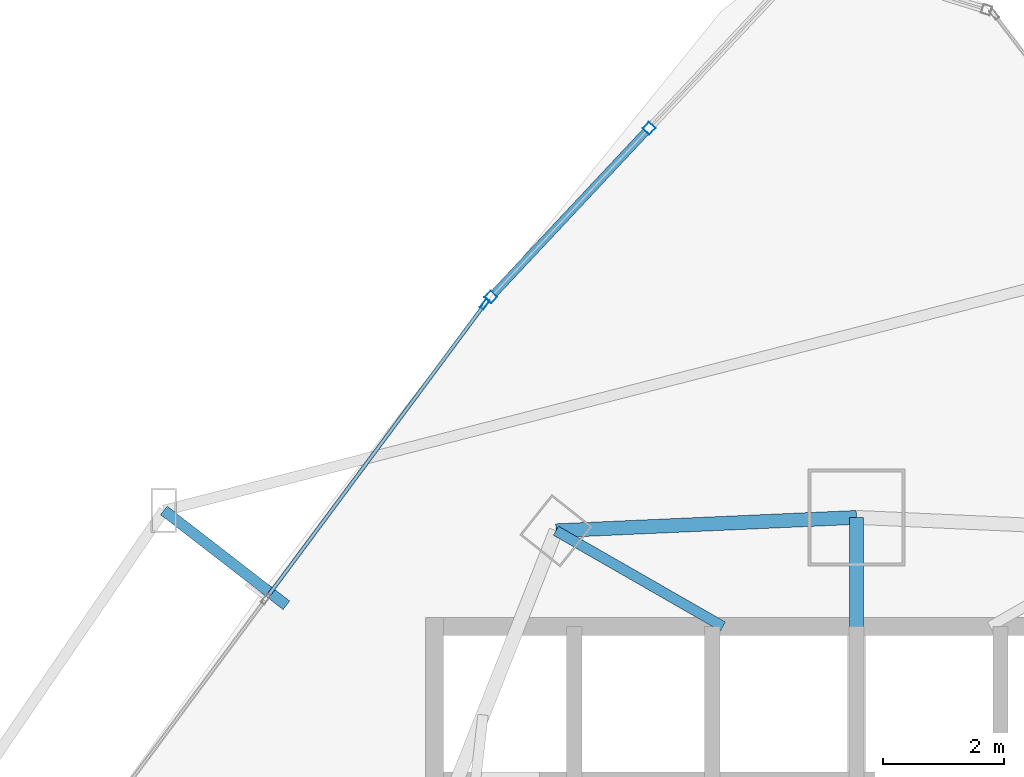
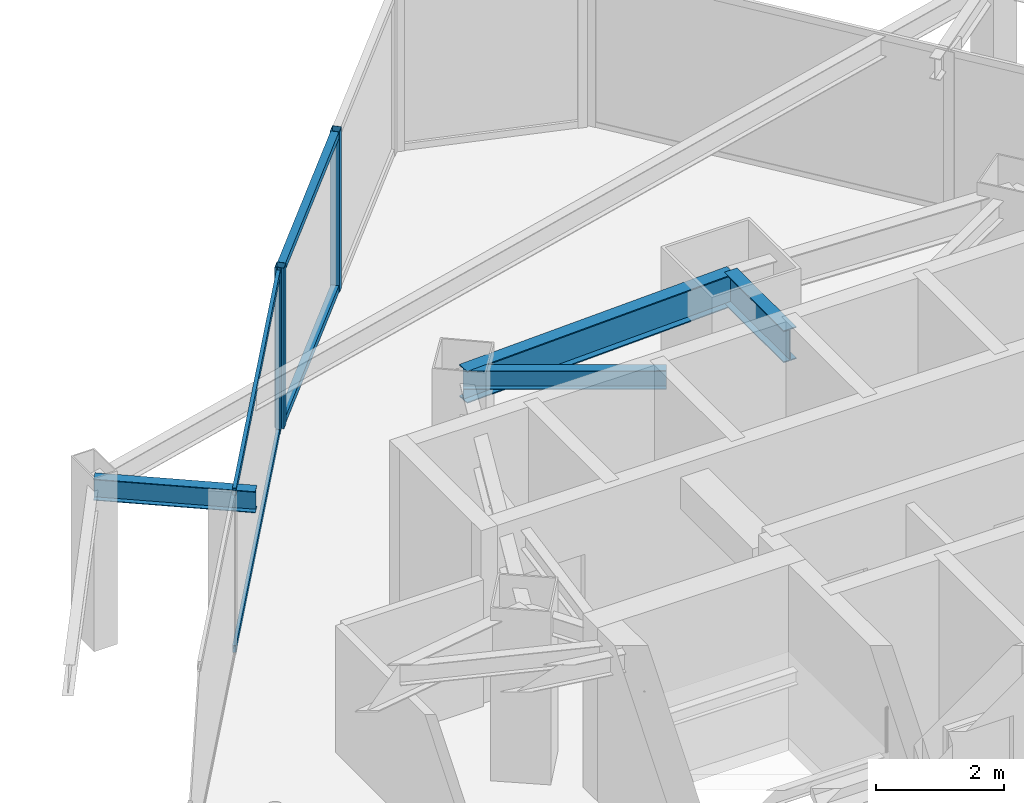
# One storey, part 22 of 33: 7 members, 4 beams, 2 elements without a shape of their own.
"""IFC4 building model written with IfcOpenShell, lengths in metres."""

from ifc_helpers import new_model, si_unit, direction, frame, origin, origin_2d, place, context, subcontext, project, spatial, hollow_rectangle, i_section, extrude, material, layer, layer_set, material_profile, profile_set, type_object, element, aggregate, save


model = new_model("IFC4")

# Units and contexts
model_context = context("Model", 3, precision=1e-05, world=origin(), true_north=direction((0.0, 1.0)))
body_context = subcontext(model_context, "Body", "Model", "MODEL_VIEW")
ifc_project = project(units=[si_unit("LENGTHUNIT", "METRE"), si_unit("AREAUNIT", "SQUARE_METRE"), si_unit("VOLUMEUNIT", "CUBIC_METRE"), si_unit("PLANEANGLEUNIT", "RADIAN"), si_unit("MASSUNIT", "GRAM", prefix="KILO")], contexts=[model_context])

# Site, building, storey
site_placement = place(None, origin())
site = spatial("IfcSite", under=ifc_project, at=site_placement, CompositionType="ELEMENT")
building_placement = place(site_placement, origin())
building = spatial("IfcBuilding", under=site, at=building_placement, Name="Orvanel Arch Residences", CompositionType="ELEMENT")
storey_placement = place(building_placement, frame((0.0, 0.0, 84.050048828125)))
storey = spatial("IfcBuildingStorey", under=building, at=storey_placement, Name="L23", CompositionType="ELEMENT", Elevation=84.050048828125)

# Beams
ifc_material_1 = material(Name="Structural steel AS/NZS 3679.1 Grade 300 (300 MPa)", Category="steel")
ifc_material_profile_1 = material_profile(ifc_material_1, i_section(OverallWidth=0.22900390625, OverallDepth=0.612060546875, WebThickness=0.011962890625, FlangeThickness=0.01953125, at=origin_2d()), Name="610UB125")
ifc_profile_set_1 = profile_set([ifc_material_profile_1], Name="Structural steel AS/NZS 3679.1 Grade 300 (300 MPa)")
beam_type_1 = type_object("IfcBeamType", Name="BG-610UB", PredefinedType="BEAM", material=ifc_profile_set_1)
beam_1_placement = place(storey_placement, frame((33.0, 39.550048828125, 2.75390625), z_axis=(0.0, 1.0, 0.0), x_axis=(-1.0, 0.0, 0.0)))
element("IfcBeam", 1, at=beam_1_placement, inside=storey, type_object=beam_type_1, Name="L23 North Radial Girder", PredefinedType="BEAM", context=body_context, shape_type="SweptSolid", body=[
    extrude(i_section(OverallWidth=0.22900390625, OverallDepth=0.612060546875, WebThickness=0.011962890625, FlangeThickness=0.01953125, at=origin_2d()), origin(), (0.0, 0.0, 1.0), 1.847900390625),
])
ifc_material_profile_2 = material_profile(ifc_material_1, i_section(OverallWidth=0.1708984375, OverallDepth=0.35595703125, WebThickness=0.00732421875, FlangeThickness=0.011474609375, at=origin_2d()), Name="360UB50.7")
ifc_profile_set_2 = profile_set([ifc_material_profile_2], Name="Structural steel AS/NZS 3679.1 Grade 300 (300 MPa)")
beam_type_2 = type_object("IfcBeamType", Name="BJ-360UB", PredefinedType="JOIST", material=ifc_profile_set_2)
beam_2_placement = place(storey_placement, frame((30.800048828125, 39.60009765625, 2.8818359375), z_axis=(-0.86736513383, 0.497672306458, 0.0), x_axis=(-0.497672306458, -0.86736513383, 0.0)))
element("IfcBeam", 2, at=beam_2_placement, inside=storey, type_object=beam_type_2, Name="L23 MNW Wing Floor Joist", PredefinedType="JOIST", context=body_context, shape_type="SweptSolid", body=[
    extrude(i_section(OverallWidth=0.1708984375, OverallDepth=0.35595703125, WebThickness=0.00732421875, FlangeThickness=0.011474609375, at=origin_2d()), origin(), (0.0, 0.0, 1.0), 3.17041015625),
])

# Curtain wall, members
ifc_material_2 = material(Name="Bronze-anodised aluminium AA6063-T6", Category="aluminium")
ifc_layer_1 = layer(ifc_material_2, 0.18994140625)
ifc_layer_set_1 = layer_set([ifc_layer_1], Name="Bronze-anodised aluminium AA6063-T6")
curtain_wall_type_1 = type_object("IfcCurtainWallType", Name="CW5-CRN-SYS", PredefinedType="NOTDEFINED", material=ifc_layer_set_1)
curtain_wall_1_placement = place(storey_placement, origin())
curtain_wall_1 = element("IfcCurtainWall", 3, at=curtain_wall_1_placement, inside=storey, type_object=curtain_wall_type_1, Name="L23 CW5-CRN-SYS Unitised Curtain Wall", PredefinedType="NOTDEFINED")
ifc_material_profile_3 = material_profile(ifc_material_2, hollow_rectangle(XDim=0.14990234375, YDim=0.14990234375, WallThickness=0.0048828125, at=origin_2d()), Name="ALU150x150x5")
ifc_profile_set_3 = profile_set([ifc_material_profile_3], Name="Bronze-anodised aluminium AA6063-T6")
member_type_1 = type_object("IfcMemberType", Name="MUL-150x150", PredefinedType="MULLION", material=ifc_profile_set_3)
member_1_placement = place(storey_placement, frame((29.58349609375, 47.80810546875, 0.0), z_axis=(0.0, 0.0, 1.0), x_axis=(0.729577329682, -0.683898325787, 0.0)))
member_1 = element("IfcMember", 4, at=member_1_placement, type_object=member_type_1, Name="CW-S5 mullion 2", PredefinedType="MULLION", context=body_context, shape_type="SweptSolid", body=[
    extrude(hollow_rectangle(XDim=0.14990234375, YDim=0.14990234375, WallThickness=0.0048828125, at=origin_2d()), origin(), (0.0, 0.0, 1.0), 3.06005859375),
])
member_2_placement = place(storey_placement, frame((26.977294921875, 45.02783203125, 0.0), z_axis=(0.0, 0.0, 1.0), x_axis=(0.729577329682, -0.683898325787, 0.0)))
member_2 = element("IfcMember", 5, at=member_2_placement, type_object=member_type_1, Name="CW-S5 mullion 3", PredefinedType="MULLION", context=body_context, shape_type="SweptSolid", body=[
    extrude(hollow_rectangle(XDim=0.14990234375, YDim=0.14990234375, WallThickness=0.0048828125, at=origin_2d()), origin(), (0.0, 0.0, 1.0), 3.06005859375),
])

# Curtain wall, member
ifc_layer_2 = layer(ifc_material_2, 0.179931640625)
ifc_layer_set_2 = layer_set([ifc_layer_2], Name="Bronze-anodised aluminium AA6063-T6")
curtain_wall_type_2 = type_object("IfcCurtainWallType", Name="CW2-LOW-SYS", PredefinedType="NOTDEFINED", material=ifc_layer_set_2)
curtain_wall_2_placement = place(storey_placement, origin())
curtain_wall_2 = element("IfcCurtainWall", 6, at=curtain_wall_2_placement, inside=storey, type_object=curtain_wall_type_2, Name="L23 CW2-LOW-SYS Unitised Curtain Wall", PredefinedType="NOTDEFINED")
ifc_material_profile_4 = material_profile(ifc_material_2, hollow_rectangle(XDim=0.070068359375, YDim=0.179931640625, WallThickness=0.00439453125, at=origin_2d()), Name="ALU180x70x4.5")
ifc_profile_set_4 = profile_set([ifc_material_profile_4], Name="Bronze-anodised aluminium AA6063-T6")
member_type_2 = type_object("IfcMemberType", Name="MUL-180x70", PredefinedType="MULLION", material=ifc_profile_set_4)
member_3_placement = place(storey_placement, frame((26.879150390625, 44.913818359375, 0.0), z_axis=(0.0, 0.0, 1.0), x_axis=(0.80276182632, -0.59629979893, 0.0)))
member_3 = element("IfcMember", 7, at=member_3_placement, type_object=member_type_2, Name="CW-S2 mullion 1", PredefinedType="MULLION", context=body_context, shape_type="SweptSolid", body=[
    extrude(hollow_rectangle(XDim=0.070068359375, YDim=0.179931640625, WallThickness=0.00439453125, at=origin_2d()), origin(), (0.0, 0.0, 1.0), 3.06005859375),
])

# Beams
ifc_material_profile_5 = material_profile(ifc_material_1, i_section(OverallWidth=0.177978515625, OverallDepth=0.406005859375, WebThickness=0.0078125, FlangeThickness=0.0126953125, at=origin_2d()), Name="410UB59.7")
ifc_profile_set_5 = profile_set([ifc_material_profile_5], Name="Structural steel AS/NZS 3679.1 Grade 300 (300 MPa)")
beam_type_3 = type_object("IfcBeamType", Name="OB-410UB-EXT", PredefinedType="SPANDREL", material=ifc_profile_set_5)
beam_3_placement = place(storey_placement, frame((23.60888671875, 39.950927734375, 2.85693359375), z_axis=(-0.790941825833, 0.611891353222, 0.0), x_axis=(-0.611891353222, -0.790941825833, 0.0)))
element("IfcBeam", 8, at=beam_3_placement, inside=storey, type_object=beam_type_3, Name="L23 Outer Frame Radial Tie Beam 01", PredefinedType="SPANDREL", context=body_context, shape_type="SweptSolid", body=[
    extrude(i_section(OverallWidth=0.177978515625, OverallDepth=0.406005859375, WebThickness=0.0078125, FlangeThickness=0.0126953125, at=origin_2d()), origin(), (0.0, 0.0, 1.0), 2.55126953125),
])
ifc_material_profile_6 = material_profile(ifc_material_1, i_section(OverallWidth=0.22900390625, OverallDepth=0.612060546875, WebThickness=0.011962890625, FlangeThickness=0.01953125, at=origin_2d()), Name="610UB125")
ifc_profile_set_6 = profile_set([ifc_material_profile_6], Name="Structural steel AS/NZS 3679.1 Grade 300 (300 MPa)")
beam_type_4 = type_object("IfcBeamType", Name="SP-610UB", PredefinedType="SPANDREL", material=ifc_profile_set_6)
beam_4_placement = place(storey_placement, frame((33.0, 41.39794921875, 2.75390625), z_axis=(-0.999014049296, -0.044395149614, 0.0), x_axis=(0.044395149614, -0.999014049296, 0.0)))
element("IfcBeam", 9, at=beam_4_placement, inside=storey, type_object=beam_type_4, Name="L23 Perimeter Spandrel Beam 17", PredefinedType="SPANDREL", context=body_context, shape_type="SweptSolid", body=[
    extrude(i_section(OverallWidth=0.22900390625, OverallDepth=0.612060546875, WebThickness=0.011962890625, FlangeThickness=0.01953125, at=origin_2d()), origin(), (0.0, 0.0, 1.0), 4.954833984375),
])

# Member
ifc_material_profile_7 = material_profile(ifc_material_2, hollow_rectangle(XDim=0.1298828125, YDim=0.1298828125, WallThickness=0.00439453125, at=origin_2d()), Name="ALU130x130x4.5")
ifc_profile_set_7 = profile_set([ifc_material_profile_7], Name="Bronze-anodised aluminium AA6063-T6")
member_type_3 = type_object("IfcMemberType", Name="TRN-130x130", PredefinedType="USERDEFINED", material=ifc_profile_set_7)
member_4_placement = place(storey_placement, frame((29.5322265625, 47.753173828125, 0.06494140625), z_axis=(-0.68393003652, -0.729547603071, 0.0), x_axis=(0.729547603071, -0.68393003652, 0.0)))
member_4 = element("IfcMember", 10, at=member_4_placement, type_object=member_type_3, Name="CW-S5 transom 2.1", ObjectType="TRANSOM", PredefinedType="USERDEFINED", context=body_context, shape_type="SweptSolid", body=[
    extrude(hollow_rectangle(XDim=0.1298828125, YDim=0.1298828125, WallThickness=0.00439453125, at=origin_2d()), origin(), (0.0, 0.0, 1.0), 3.66064453125),
])

member_5_placement = place(storey_placement, frame((29.5322265625, 47.753173828125, 2.994873046875), z_axis=(-0.68393003652, -0.729547603071, 0.0), x_axis=(0.729547603071, -0.68393003652, 0.0)))
member_5 = element("IfcMember", 11, at=member_5_placement, type_object=member_type_3, Name="CW-S5 transom 2.2", ObjectType="TRANSOM", PredefinedType="USERDEFINED", context=body_context, shape_type="SweptSolid", body=[
    extrude(hollow_rectangle(XDim=0.1298828125, YDim=0.1298828125, WallThickness=0.00439453125, at=origin_2d()), origin(), (0.0, 0.0, 1.0), 3.66064453125),
])

aggregate(curtain_wall_1, [member_1, member_2, member_4, member_5])

ifc_material_profile_8 = material_profile(ifc_material_2, hollow_rectangle(XDim=0.06005859375, YDim=0.135009765625, WallThickness=0.00390625, at=origin_2d()), Name="ALU135x60x4")
ifc_profile_set_8 = profile_set([ifc_material_profile_8], Name="Bronze-anodised aluminium AA6063-T6")
member_type_4 = type_object("IfcMemberType", Name="TRN-135x60", PredefinedType="USERDEFINED", material=ifc_profile_set_8)
member_6_placement = place(storey_placement, frame((26.858154296875, 44.8857421875, 0.030029296875), z_axis=(-0.596290179137, -0.802768971912, 0.0), x_axis=(0.802768971912, -0.596290179137, 0.0)))
member_6 = element("IfcMember", 12, at=member_6_placement, type_object=member_type_4, Name="CW-S2 transom 1.1", ObjectType="TRANSOM", PredefinedType="USERDEFINED", context=body_context, shape_type="SweptSolid", body=[
    extrude(hollow_rectangle(XDim=0.06005859375, YDim=0.135009765625, WallThickness=0.00390625, at=origin_2d()), origin(), (0.0, 0.0, 1.0), 5.98046875),
])

member_7_placement = place(storey_placement, frame((26.858154296875, 44.8857421875, 3.030029296875), z_axis=(-0.596290179137, -0.802768971912, 0.0), x_axis=(0.802768971912, -0.596290179137, 0.0)))
member_7 = element("IfcMember", 13, at=member_7_placement, type_object=member_type_4, Name="CW-S2 transom 1.2", ObjectType="TRANSOM", PredefinedType="USERDEFINED", context=body_context, shape_type="SweptSolid", body=[
    extrude(hollow_rectangle(XDim=0.06005859375, YDim=0.135009765625, WallThickness=0.00390625, at=origin_2d()), origin(), (0.0, 0.0, 1.0), 5.98046875),
])

aggregate(curtain_wall_2, [member_3, member_6, member_7])

save(model, "model.ifc")
